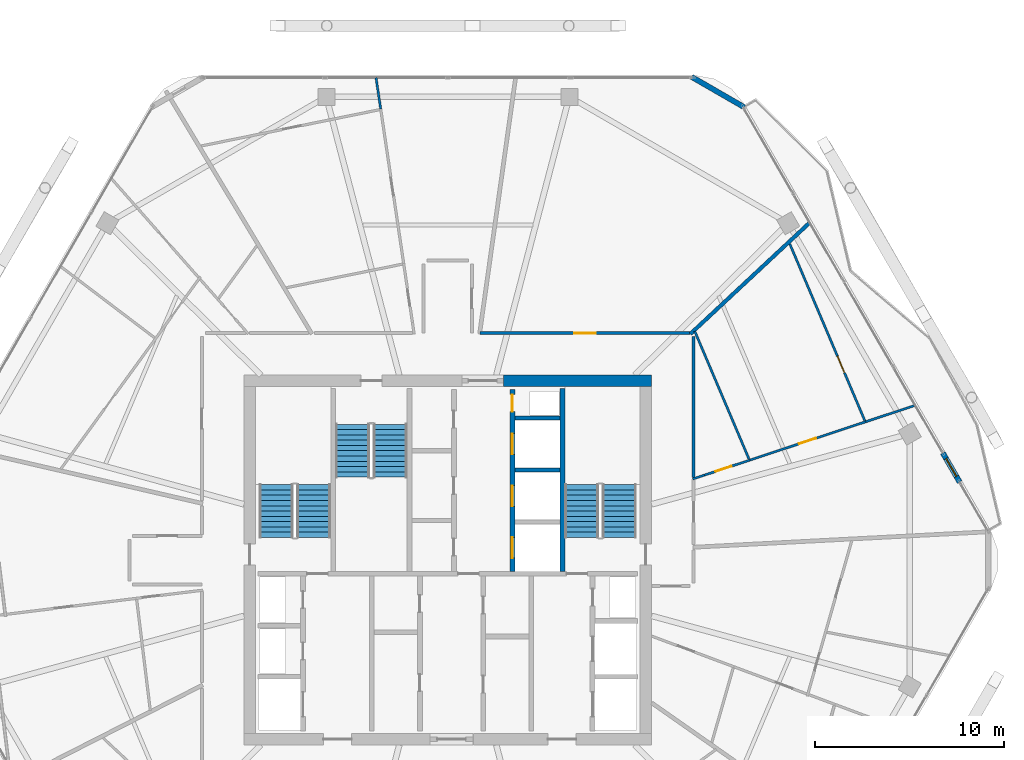
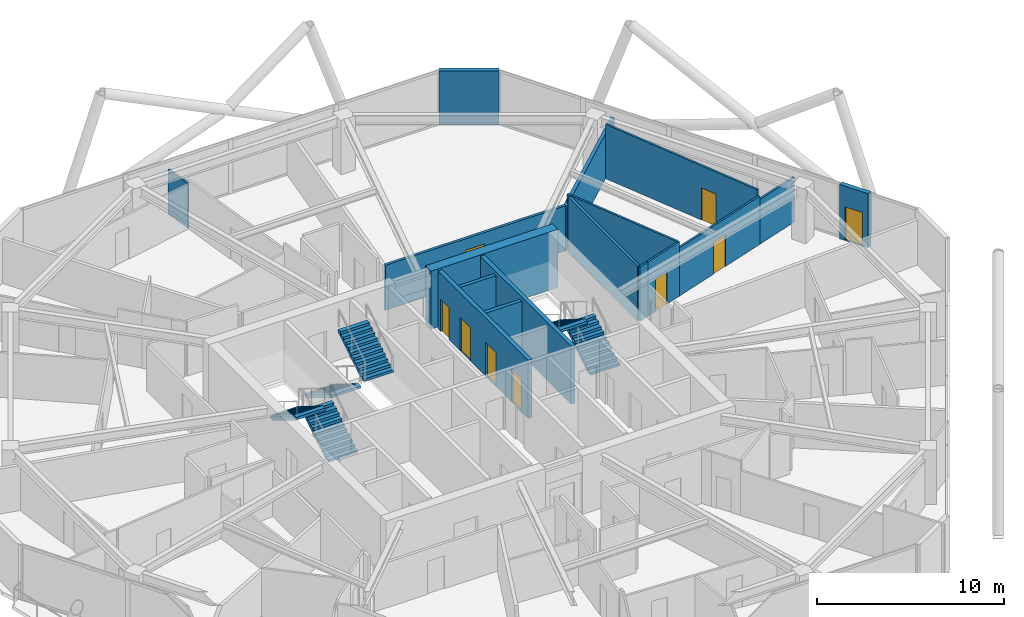
# One storey, part 24 of 27: 17 walls, 9 doors, 6 stair flights, 9 openings, 3 elements without a shape of their own.
"""IFC4 building model written with IfcOpenShell, lengths in metres."""

from ifc_helpers import new_model, si_unit, direction, frame, frame_2d, origin, place, context, subcontext, project, spatial, polyline, rectangle, outline, extrude, material, layer, layer_set, type_object, element, fill, aggregate, save


model = new_model("IFC4")

# Units and contexts
model_context = context("Model", 3, precision=1e-05, world=origin(), true_north=direction((0.0, 1.0)))
body_context = subcontext(model_context, "Body", "Model", "MODEL_VIEW")
ifc_project = project(units=[si_unit("LENGTHUNIT", "METRE"), si_unit("AREAUNIT", "SQUARE_METRE"), si_unit("VOLUMEUNIT", "CUBIC_METRE"), si_unit("PLANEANGLEUNIT", "RADIAN"), si_unit("MASSUNIT", "GRAM", prefix="KILO")], contexts=[model_context])

# Site, building, storey
site_placement = place(None, origin())
site = spatial("IfcSite", under=ifc_project, at=site_placement, CompositionType="ELEMENT")
building_placement = place(site_placement, origin())
building = spatial("IfcBuilding", under=site, at=building_placement, Name="Zuhravey Tower", CompositionType="ELEMENT")
storey_placement = place(building_placement, frame((0.0, 0.0, 261.60009765625)))
storey = spatial("IfcBuildingStorey", under=building, at=storey_placement, Name="L66", CompositionType="ELEMENT", Elevation=261.60009765625)

# Wall
ifc_material_1 = material(Name="Concrete C50/60", Category="concrete")
ifc_layer_1 = layer(ifc_material_1, 0.60009765625)
ifc_layer_set_1 = layer_set([ifc_layer_1], Name="Concrete C50/60")
wall_type_1 = type_object("IfcWallType", Name="Core Shear Wall 600", PredefinedType="SHEAR", material=ifc_layer_set_1)
wall_1_placement = place(storey_placement, frame((46.800048828125, 41.5, 0.0), z_axis=(0.0, 0.0, 1.0), x_axis=(-1.0, 0.0, 0.0)))
element("IfcWall", 1, at=wall_1_placement, inside=storey, type_object=wall_type_1, Name="L66 North-East Core Shear Wall CW60", PredefinedType="SHEAR", context=body_context, shape_type="SweptSolid", body=[
    extrude(rectangle(XDim=7.85009765625, YDim=0.60009765625, at=frame_2d((3.925048828125, 0.0))), origin(), (0.0, 0.0, 1.0), 3.7998046875),
])

# Wall, opening, door
ifc_material_2 = material(Name="Gypsum fire-rated stud partition")
ifc_layer_2 = layer(ifc_material_2, 0.159912109375)
ifc_layer_set_2 = layer_set([ifc_layer_2], Name="Gypsum fire-rated stud partition")
wall_type_2 = type_object("IfcWallType", Name="Corridor Fire Partition 160", PredefinedType="PARTITIONING", material=ifc_layer_set_2)
wall_2_placement = place(storey_placement, frame((48.85009765625, 44.030029296875, 0.0), z_axis=(0.0, 0.0, 1.0), x_axis=(-1.0, 0.0, 0.0)))
wall_2 = element("IfcWall", 2, at=wall_2_placement, inside=storey, type_object=wall_type_2, Name="L66 IW16 Partition 056", PredefinedType="PARTITIONING", context=body_context, shape_type="SweptSolid", body=[
    extrude(rectangle(XDim=11.13916015625, YDim=0.159912109375, at=frame_2d((5.569580078125, 0.0))), origin(), (0.0, 0.0, 1.0), 2.949951171875),
])
opening_1_placement = place(wall_2_placement, frame((4.994384765625, 0.0, 0.0)))
opening_1 = element("IfcOpeningElement", 3, at=opening_1_placement, cuts=wall_2, Name="Opening CLD1", PredefinedType="OPENING", context=body_context, shape_type="SweptSolid", body=[
    extrude(rectangle(XDim=1.14990234375, YDim=2.199951171875, at=frame_2d((0.574951171875, 1.10009765625))), frame((0.0, 0.092041015625, 0.0), z_axis=(0.0, -1.0, 0.0), x_axis=(1.0, 0.0, 0.0)), (0.0, 0.0, 1.0), 0.183837890625),
])
ifc_material_3 = material(Name="Acoustic timber leaf with vision lite", Category="wood")
door_type_1 = type_object("IfcDoorType", Name="Classroom Acoustic Door 1150x2200", OperationType="NOTDEFINED", PredefinedType="DOOR", material=ifc_material_3)
door_1_placement = place(opening_1_placement, frame((1.14990234375, 0.0, 0.0), z_axis=(0.0, 0.0, 1.0), x_axis=(-1.0, 0.0, 0.0)))
door_1 = element("IfcDoor", 4, at=door_1_placement, inside=storey, type_object=door_type_1, Name="L66 Door 056.1", OperationType="SINGLE_SWING_LEFT", OverallHeight=2.199951171875, OverallWidth=1.14990234375, PredefinedType="DOOR", context=body_context, shape_type="SweptSolid", body=[
    extrude(rectangle(XDim=1.14990234375, YDim=2.199951171875, at=frame_2d((0.574951171875, 1.10009765625))), frame((0.0, 0.02490234375, 0.0), z_axis=(0.0, -1.0, 0.0), x_axis=(1.0, 0.0, 0.0)), (0.0, 0.0, 1.0), 0.050048828125),
])
fill(opening_1, door_1)

# Walls
wall_3_placement = place(storey_placement, frame((49.030029296875, 36.385986328125, 0.0), z_axis=(0.0, 0.0, 1.0), x_axis=(0.0, 1.0, 0.0)))
element("IfcWall", 5, at=wall_3_placement, inside=storey, type_object=wall_type_2, Name="L66 IW16 Partition 119", PredefinedType="PARTITIONING", context=body_context, shape_type="SweptSolid", body=[
    extrude(rectangle(XDim=7.464111328125, YDim=0.159912109375, at=frame_2d((3.73193359375, 0.0))), origin(), (0.0, 0.0, 1.0), 3.5498046875),
])
ifc_material_4 = material(Name="Precast concrete C40/50", Category="concrete")
ifc_layer_3 = layer(ifc_material_4, 0.280029296875)
ifc_layer_set_3 = layer_set([ifc_layer_3], Name="Precast concrete C40/50")
wall_type_3 = type_object("IfcWallType", Name="Crown Architectural Wall 280", PredefinedType="SOLIDWALL", material=ifc_layer_set_3)
wall_4_placement = place(storey_placement, frame((48.930419921875, 57.611083984375, 0.0), z_axis=(0.0, 0.0, 1.0), x_axis=(0.866028773314, -0.499994163758, 0.0)))
element("IfcWall", 6, at=wall_4_placement, inside=storey, type_object=wall_type_3, Name="L66 Rounded Corner Closure Wall EW28-10", PredefinedType="SOLIDWALL", context=body_context, shape_type="SweptSolid", body=[
    extrude(rectangle(XDim=3.21484375, YDim=0.280029296875, at=frame_2d((1.607421875, 0.0))), origin(), (0.0, 0.0, 1.0), 3.5498046875),
])

# Wall, opening, door
wall_5_placement = place(storey_placement, frame((62.237060546875, 37.683349609375, 0.0), z_axis=(0.0, 0.0, 1.0), x_axis=(0.500041240653, -0.866001592173, 0.0)))
wall_5 = element("IfcWall", 7, at=wall_5_placement, inside=storey, type_object=wall_type_3, Name="L66 Face 1 Facade Pier EW28-1", PredefinedType="SOLIDWALL", context=body_context, shape_type="SweptSolid", body=[
    extrude(rectangle(XDim=1.789794921875, YDim=0.280029296875, at=frame_2d((0.89501953125, 0.0))), origin(), (0.0, 0.0, 1.0), 3.5498046875),
])
opening_2_placement = place(wall_5_placement, frame((0.344970703125, 0.0, 0.0)))
opening_2 = element("IfcOpeningElement", 8, at=opening_2_placement, cuts=wall_5, Name="Opening BLD1", PredefinedType="OPENING", context=body_context, shape_type="SweptSolid", body=[
    extrude(rectangle(XDim=1.10009765625, YDim=2.199951171875, at=frame_2d((0.550048828125, 1.10009765625))), frame((0.0, 0.152099609375, 0.0), z_axis=(0.0, -1.0, 0.0), x_axis=(1.0, 0.0, 0.0)), (0.0, 0.0, 1.0), 0.303955078125),
])
ifc_material_5 = material(Name="Thermally broken aluminium and low-E glass", Category="aluminium")
door_type_2 = type_object("IfcDoorType", Name="Balcony & Sky-Tray Glazed Door 1100x2200", OperationType="NOTDEFINED", PredefinedType="DOOR", material=ifc_material_5)
door_2_placement = place(opening_2_placement, frame((1.10009765625, 0.0, 0.0), z_axis=(0.0, 0.0, 1.0), x_axis=(-1.0, 0.0, 0.0)))
door_2 = element("IfcDoor", 9, at=door_2_placement, inside=storey, type_object=door_type_2, Name="L66 Face 1 Wave Balcony Door", OperationType="SINGLE_SWING_RIGHT", OverallHeight=2.199951171875, OverallWidth=1.10009765625, PredefinedType="DOOR", context=body_context, shape_type="SweptSolid", body=[
    extrude(rectangle(XDim=1.10009765625, YDim=2.199951171875, at=frame_2d((0.550048828125, 1.10009765625))), frame((0.0, 0.02490234375, 0.0), z_axis=(0.0, -1.0, 0.0), x_axis=(1.0, 0.0, 0.0)), (0.0, 0.0, 1.0), 0.050048828125),
])
fill(opening_2, door_2)

# Wall
ifc_layer_4 = layer(ifc_material_1, 0.25)
ifc_layer_set_4 = layer_set([ifc_layer_4], Name="Concrete C50/60")
wall_type_4 = type_object("IfcWallType", Name="Firefighting Shaft & Stair Wall 250", PredefinedType="SOLIDWALL", material=ifc_layer_set_4)
wall_6_placement = place(storey_placement, frame((42.074951171875, 31.39990234375, 0.0), z_axis=(0.0, 0.0, 1.0), x_axis=(0.0, 1.0, 0.0)))
element("IfcWall", 10, at=wall_6_placement, inside=storey, type_object=wall_type_4, Name="L66 FW25 Shaft Wall 006", PredefinedType="SOLIDWALL", context=body_context, shape_type="SweptSolid", body=[
    extrude(rectangle(XDim=9.7001953125, YDim=0.25, at=frame_2d((4.85009765625, 0.0))), origin(), (0.0, 0.0, 1.0), 3.7998046875),
])

# Wall, openings, doors
wall_7_placement = place(storey_placement, frame((39.425048828125, 31.39990234375, 0.0), z_axis=(0.0, 0.0, 1.0), x_axis=(0.0, 1.0, 0.0)))
wall_7 = element("IfcWall", 11, at=wall_7_placement, inside=storey, type_object=wall_type_4, Name="L66 FW25 Shaft Wall 008", PredefinedType="SOLIDWALL", context=body_context, shape_type="SweptSolid", body=[
    extrude(rectangle(XDim=9.650146484375, YDim=0.25, at=frame_2d((4.8251953125, 0.0))), origin(), (0.0, 0.0, 1.0), 3.7998046875),
])
opening_3_placement = place(wall_7_placement, frame((0.699951171875, 0.0, 0.0)))
opening_3 = element("IfcOpeningElement", 12, at=opening_3_placement, cuts=wall_7, Name="Opening LD1", PredefinedType="OPENING", context=body_context, shape_type="SweptSolid", body=[
    extrude(rectangle(XDim=1.10009765625, YDim=2.199951171875, at=frame_2d((0.550048828125, 1.10009765625))), frame((0.0, 0.136962890625, 0.0), z_axis=(0.0, -1.0, 0.0), x_axis=(1.0, 0.0, 0.0)), (0.0, 0.0, 1.0), 0.27392578125),
])
opening_4_placement = place(wall_7_placement, frame((3.449951171875, 0.0, 0.0)))
opening_4 = element("IfcOpeningElement", 13, at=opening_4_placement, cuts=wall_7, Name="Opening LD1", PredefinedType="OPENING", context=body_context, shape_type="SweptSolid", body=[
    extrude(rectangle(XDim=1.10009765625, YDim=2.199951171875, at=frame_2d((0.550048828125, 1.10009765625))), frame((0.0, 0.136962890625, 0.0), z_axis=(0.0, -1.0, 0.0), x_axis=(1.0, 0.0, 0.0)), (0.0, 0.0, 1.0), 0.27392578125),
])
opening_5_placement = place(wall_7_placement, frame((6.199951171875, 0.0, 0.0)))
opening_5 = element("IfcOpeningElement", 14, at=opening_5_placement, cuts=wall_7, Name="Opening LD1", PredefinedType="OPENING", context=body_context, shape_type="SweptSolid", body=[
    extrude(rectangle(XDim=1.10009765625, YDim=2.199951171875, at=frame_2d((0.550048828125, 1.10009765625))), frame((0.0, 0.136962890625, 0.0), z_axis=(0.0, -1.0, 0.0), x_axis=(1.0, 0.0, 0.0)), (0.0, 0.0, 1.0), 0.27392578125),
])
opening_6_placement = place(wall_7_placement, frame((8.469970703125, 0.0, 0.0)))
opening_6 = element("IfcOpeningElement", 15, at=opening_6_placement, cuts=wall_7, Name="Opening RSD1", PredefinedType="OPENING", context=body_context, shape_type="SweptSolid", body=[
    extrude(rectangle(XDim=0.89990234375, YDim=2.10009765625, at=frame_2d((0.449951171875, 1.050048828125))), frame((0.0, 0.136962890625, 0.0), z_axis=(0.0, -1.0, 0.0), x_axis=(1.0, 0.0, 0.0)), (0.0, 0.0, 1.0), 0.27392578125),
])
ifc_material_6 = material(Name="Brushed stainless steel", Category="steel")
door_type_3 = type_object("IfcDoorType", Name="Lift Landing Sliding Door 1100x2200", OperationType="DOUBLE_DOOR_SLIDING", PredefinedType="DOOR", material=ifc_material_6)
door_3_placement = place(opening_3_placement, origin())
door_3 = element("IfcDoor", 16, at=door_3_placement, inside=storey, type_object=door_type_3, Name="L66 Lift PL7 Landing Door", OperationType="DOUBLE_DOOR_SLIDING", OverallHeight=2.199951171875, OverallWidth=1.10009765625, PredefinedType="DOOR", context=body_context, shape_type="SweptSolid", body=[
    extrude(rectangle(XDim=1.10009765625, YDim=2.199951171875, at=frame_2d((0.550048828125, 1.10009765625))), frame((0.0, 0.02490234375, 0.0), z_axis=(0.0, -1.0, 0.0), x_axis=(1.0, 0.0, 0.0)), (0.0, 0.0, 1.0), 0.050048828125),
])
fill(opening_3, door_3)
door_4_placement = place(opening_4_placement, origin())
door_4 = element("IfcDoor", 17, at=door_4_placement, inside=storey, type_object=door_type_3, Name="L66 Lift PL8 Landing Door", OperationType="DOUBLE_DOOR_SLIDING", OverallHeight=2.199951171875, OverallWidth=1.10009765625, PredefinedType="DOOR", context=body_context, shape_type="SweptSolid", body=[
    extrude(rectangle(XDim=1.10009765625, YDim=2.199951171875, at=frame_2d((0.550048828125, 1.10009765625))), frame((0.0, 0.02490234375, 0.0), z_axis=(0.0, -1.0, 0.0), x_axis=(1.0, 0.0, 0.0)), (0.0, 0.0, 1.0), 0.050048828125),
])
fill(opening_4, door_4)
door_5_placement = place(opening_5_placement, origin())
door_5 = element("IfcDoor", 18, at=door_5_placement, inside=storey, type_object=door_type_3, Name="L66 Lift PL9 Landing Door", OperationType="DOUBLE_DOOR_SLIDING", OverallHeight=2.199951171875, OverallWidth=1.10009765625, PredefinedType="DOOR", context=body_context, shape_type="SweptSolid", body=[
    extrude(rectangle(XDim=1.10009765625, YDim=2.199951171875, at=frame_2d((0.550048828125, 1.10009765625))), frame((0.0, 0.02490234375, 0.0), z_axis=(0.0, -1.0, 0.0), x_axis=(1.0, 0.0, 0.0)), (0.0, 0.0, 1.0), 0.050048828125),
])
fill(opening_5, door_5)
ifc_material_7 = material(Name="Galvanised fire-rated steel access leaf", Category="steel")
door_type_4 = type_object("IfcDoorType", Name="Riser & Shaft Access Fire Door 900x2100", OperationType="NOTDEFINED", PredefinedType="DOOR", material=ifc_material_7)
door_6_placement = place(opening_6_placement, origin())
door_6 = element("IfcDoor", 19, at=door_6_placement, inside=storey, type_object=door_type_4, Name="L66 North Riser Door", OperationType="SINGLE_SWING_RIGHT", OverallHeight=2.10009765625, OverallWidth=0.89990234375, PredefinedType="DOOR", context=body_context, shape_type="SweptSolid", body=[
    extrude(rectangle(XDim=0.89990234375, YDim=2.10009765625, at=frame_2d((0.449951171875, 1.050048828125))), frame((0.0, 0.02490234375, 0.0), z_axis=(0.0, -1.0, 0.0), x_axis=(1.0, 0.0, 0.0)), (0.0, 0.0, 1.0), 0.050048828125),
])
fill(opening_6, door_6)

# Walls
ifc_material_8 = material(Name="Gypsum double-stud party assembly")
ifc_layer_5 = layer(ifc_material_8, 0.199951171875)
ifc_layer_set_5 = layer_set([ifc_layer_5], Name="Gypsum double-stud party assembly")
wall_type_5 = type_object("IfcWallType", Name="Inter-Tenancy Party Wall 200", PredefinedType="PARTITIONING", material=ifc_layer_set_5)
wall_8_placement = place(storey_placement, frame((48.857421875, 43.989501953125, 0.0), z_axis=(0.0, 0.0, 1.0), x_axis=(0.731342217011, 0.682010675589, 0.0)))
element("IfcWall", 20, at=wall_8_placement, inside=storey, type_object=wall_type_5, Name="L66 IW20 Partition 098", PredefinedType="PARTITIONING", context=body_context, shape_type="SweptSolid", body=[
    extrude(rectangle(XDim=8.65576171875, YDim=0.199951171875, at=frame_2d((4.327880859375, 0.0))), origin(), (0.0, 0.0, 1.0), 2.929931640625),
])
ifc_material_9 = material(Name="Gypsum acoustic stud assembly")
ifc_layer_6 = layer(ifc_material_9, 0.219970703125)
ifc_layer_set_6 = layer_set([ifc_layer_6], Name="Gypsum acoustic stud assembly")
wall_type_6 = type_object("IfcWallType", Name="School Acoustic Compartment Wall 220", PredefinedType="PARTITIONING", material=ifc_layer_set_6)
for number, where, z_axis, x_axis, name in (
    (21, (39.55810546875, 36.77490234375, 0.0), (0.0, 0.0, 1.0), (1.0, 0.0, 0.0), "L66 IW22 Partition 064"),
    (22, (39.55810546875, 39.52490234375, 0.0), (0.0, 0.0, 1.0), (1.0, 0.0, 0.0), "L66 IW22 Partition 065"),
):
    element("IfcWall", number, at=place(storey_placement, frame(where, z_axis=z_axis, x_axis=x_axis)), inside=storey, type_object=wall_type_6, Name=name, PredefinedType="PARTITIONING", context=body_context, shape_type="SweptSolid", body=[
        extrude(rectangle(XDim=2.3837890625, YDim=0.219970703125, at=frame_2d((1.19189453125, 0.0))), origin(), (0.0, 0.0, 1.0), 3.5498046875),
    ])

# Wall, opening, door
ifc_material_10 = material(Name="Gypsum metal-stud partition")
ifc_layer_7 = layer(ifc_material_10, 0.1201171875)
ifc_layer_set_7 = layer_set([ifc_layer_7], Name="Gypsum metal-stud partition")
wall_type_7 = type_object("IfcWallType", Name="Unit Internal Partition 120", PredefinedType="PARTITIONING", material=ifc_layer_set_7)
wall_9_placement = place(storey_placement, frame((49.60009765625, 36.5029296875, 0.0), z_axis=(0.0, 0.0, 1.0), x_axis=(0.949295505905, 0.314385181693, 0.0)))
wall_9 = element("IfcWall", 23, at=wall_9_placement, inside=storey, type_object=wall_type_7, Name="L66 IW12 Partition 052", PredefinedType="PARTITIONING", context=body_context, shape_type="SweptSolid", body=[
    extrude(rectangle(XDim=2.544921875, YDim=0.1201171875, at=frame_2d((1.2724609375, 0.0))), origin(), (0.0, 0.0, 1.0), 3.5498046875),
])
opening_7_placement = place(wall_9_placement, frame((0.618896484375, 0.0, 0.0)))
opening_7 = element("IfcOpeningElement", 24, at=opening_7_placement, cuts=wall_9, Name="Opening WCD1", PredefinedType="OPENING", context=body_context, shape_type="SweptSolid", body=[
    extrude(rectangle(XDim=0.89990234375, YDim=2.10009765625, at=frame_2d((0.449951171875, 1.050048828125))), frame((0.0, 0.072021484375, 0.0), z_axis=(0.0, -1.0, 0.0), x_axis=(1.0, 0.0, 0.0)), (0.0, 0.0, 1.0), 0.14404296875),
])
ifc_material_11 = material(Name="Moisture-resistant timber leaf", Category="wood")
door_type_5 = type_object("IfcDoorType", Name="Bathroom & WC Internal Door 900x2100", OperationType="NOTDEFINED", PredefinedType="DOOR", material=ifc_material_11)
door_7_placement = place(opening_7_placement, origin())
door_7 = element("IfcDoor", 25, at=door_7_placement, inside=storey, type_object=door_type_5, Name="Apartment L66-07 Bathroom Door", OperationType="SINGLE_SWING_LEFT", OverallHeight=2.10009765625, OverallWidth=0.89990234375, PredefinedType="DOOR", context=body_context, shape_type="SweptSolid", body=[
    extrude(rectangle(XDim=0.89990234375, YDim=2.10009765625, at=frame_2d((0.449951171875, 1.050048828125))), frame((0.0, 0.02490234375, 0.0), z_axis=(0.0, -1.0, 0.0), x_axis=(1.0, 0.0, 0.0)), (0.0, 0.0, 1.0), 0.050048828125),
])
fill(opening_7, door_7)

wall_10_placement = place(storey_placement, frame((52.015869140625, 37.302978515625, 0.0), z_axis=(0.0, 0.0, 1.0), x_axis=(0.949319431561, 0.314312928243, 0.0)))
wall_10 = element("IfcWall", 26, at=wall_10_placement, inside=storey, type_object=wall_type_7, Name="L66 IW12 Partition 053", PredefinedType="PARTITIONING", context=body_context, shape_type="SweptSolid", body=[
    extrude(rectangle(XDim=6.46630859375, YDim=0.1201171875, at=frame_2d((3.233154296875, 0.0))), origin(), (0.0, 0.0, 1.0), 3.14990234375),
])
opening_8_placement = place(wall_10_placement, frame((2.733154296875, 0.0, 0.0)))
opening_8 = element("IfcOpeningElement", 27, at=opening_8_placement, cuts=wall_10, Name="Opening IND1", PredefinedType="OPENING", context=body_context, shape_type="SweptSolid", body=[
    extrude(rectangle(XDim=0.949951171875, YDim=2.10009765625, at=frame_2d((0.47509765625, 1.050048828125))), frame((0.0, 0.072021484375, 0.0), z_axis=(0.0, -1.0, 0.0), x_axis=(1.0, 0.0, 0.0)), (0.0, 0.0, 1.0), 0.14404296875),
])
ifc_material_12 = material(Name="Painted engineered timber leaf", Category="wood")
door_type_6 = type_object("IfcDoorType", Name="Internal Room & Bedroom Door 950x2100", OperationType="NOTDEFINED", PredefinedType="DOOR", material=ifc_material_12)
door_8_placement = place(opening_8_placement, origin())
door_8 = element("IfcDoor", 28, at=door_8_placement, inside=storey, type_object=door_type_6, Name="Apartment L66-07 Home Office Door", OperationType="SINGLE_SWING_RIGHT", OverallHeight=2.10009765625, OverallWidth=0.949951171875, PredefinedType="DOOR", context=body_context, shape_type="SweptSolid", body=[
    extrude(rectangle(XDim=0.949951171875, YDim=2.10009765625, at=frame_2d((0.47509765625, 1.050048828125))), frame((0.0, 0.02490234375, 0.0), z_axis=(0.0, -1.0, 0.0), x_axis=(1.0, 0.0, 0.0)), (0.0, 0.0, 1.0), 0.050048828125),
])
fill(opening_8, door_8)

wall_11_placement = place(storey_placement, frame((58.104248046875, 39.390380859375, 0.0), z_axis=(0.0, 0.0, 1.0), x_axis=(-0.390729276491, 0.920505639577, 0.0)))
wall_11 = element("IfcWall", 29, at=wall_11_placement, inside=storey, type_object=wall_type_7, Name="L66 IW12 Partition 054", PredefinedType="PARTITIONING", context=body_context, shape_type="SweptSolid", body=[
    extrude(rectangle(XDim=10.16796875, YDim=0.1201171875, at=frame_2d((5.083984375, 0.0))), origin(), (0.0, 0.0, 1.0), 3.5498046875),
])
opening_9_placement = place(wall_11_placement, frame((2.7646484375, 0.0, 0.0)))
opening_9 = element("IfcOpeningElement", 30, at=opening_9_placement, cuts=wall_11, Name="Opening IND1", PredefinedType="OPENING", context=body_context, shape_type="SweptSolid", body=[
    extrude(rectangle(XDim=0.949951171875, YDim=2.10009765625, at=frame_2d((0.47509765625, 1.050048828125))), frame((0.0, 0.072021484375, 0.0), z_axis=(0.0, -1.0, 0.0), x_axis=(1.0, 0.0, 0.0)), (0.0, 0.0, 1.0), 0.14404296875),
])
door_9_placement = place(opening_9_placement, frame((0.949951171875, 0.0, 0.0), z_axis=(0.0, 0.0, 1.0), x_axis=(-1.0, 0.0, 0.0)))
door_9 = element("IfcDoor", 31, at=door_9_placement, inside=storey, type_object=door_type_6, Name="Apartment L66-07 Bedroom 1 Door", OperationType="SINGLE_SWING_LEFT", OverallHeight=2.10009765625, OverallWidth=0.949951171875, PredefinedType="DOOR", context=body_context, shape_type="SweptSolid", body=[
    extrude(rectangle(XDim=0.949951171875, YDim=2.10009765625, at=frame_2d((0.47509765625, 1.050048828125))), frame((0.0, 0.02490234375, 0.0), z_axis=(0.0, -1.0, 0.0), x_axis=(1.0, 0.0, 0.0)), (0.0, 0.0, 1.0), 0.050048828125),
])
fill(opening_9, door_9)

# Walls
wall_12_placement = place(storey_placement, frame((48.986328125, 36.2998046875, 0.0), z_axis=(0.0, 0.0, 1.0), x_axis=(0.94936083971, 0.314187835576, 0.0)))
element("IfcWall", 32, at=wall_12_placement, inside=storey, type_object=wall_type_7, Name="L66 IW12 Partition 095", PredefinedType="PARTITIONING", context=body_context, shape_type="SweptSolid", body=[
    extrude(rectangle(XDim=0.646484375, YDim=0.1201171875, at=frame_2d((0.3232421875, 0.0))), origin(), (0.0, 0.0, 1.0), 3.5498046875),
])
wall_13_placement = place(storey_placement, frame((58.154541015625, 39.335693359375, 0.0), z_axis=(0.0, 0.0, 1.0), x_axis=(0.949341960768, 0.314244875098, 0.0)))
element("IfcWall", 33, at=wall_13_placement, inside=storey, type_object=wall_type_7, Name="L66 IW12 Partition 096", PredefinedType="PARTITIONING", context=body_context, shape_type="SweptSolid", body=[
    extrude(rectangle(XDim=2.771240234375, YDim=0.1201171875, at=frame_2d((1.3857421875, 0.0))), origin(), (0.0, 0.0, 1.0), 2.929931640625),
])
wall_14_placement = place(storey_placement, frame((51.965576171875, 37.35791015625, 0.0), z_axis=(0.0, 0.0, 1.0), x_axis=(-0.39073730392, 0.920502232113, 0.0)))
element("IfcWall", 34, at=wall_14_placement, inside=storey, type_object=wall_type_7, Name="L66 IW12 Partition 097", PredefinedType="PARTITIONING", context=body_context, shape_type="SweptSolid", body=[
    extrude(rectangle(XDim=7.35791015625, YDim=0.1201171875, at=frame_2d((3.678955078125, 0.0))), origin(), (0.0, 0.0, 1.0), 3.5498046875),
])
wall_15_placement = place(storey_placement, frame((32.443359375, 55.91162109375, 0.0), z_axis=(0.0, 0.0, 1.0), x_axis=(-0.147050413957, 0.989128998541, 0.0)))
element("IfcWall", 35, at=wall_15_placement, inside=storey, type_object=wall_type_7, Name="L66 IW12 Partition 101", PredefinedType="PARTITIONING", context=body_context, shape_type="SweptSolid", body=[
    extrude(rectangle(XDim=1.67529296875, YDim=0.1201171875, at=frame_2d((0.837646484375, 0.0))), origin(), (0.0, 0.0, 1.0), 2.929931640625),
])

# Stair, stair flights
ifc_material_13 = material(Name="Concrete C40/50", Category="concrete")
stair_type = type_object("IfcStairType", Name="Housing Storey Stair Assembly 3800", PredefinedType="HALF_TURN_STAIR", material=ifc_material_13)
stair_1_placement = place(storey_placement, origin())
stair_1 = element("IfcStair", 36, at=stair_1_placement, inside=storey, type_object=stair_type, Name="L66 Core Exit Stair ST1", PredefinedType="HALF_TURN_STAIR")
stair_flight_type = type_object("IfcStairFlightType", Name="Housing Storey Stair Flight 3800", PredefinedType="STRAIGHT", material=ifc_material_13)
stair_flight_1_placement = place(storey_placement, frame((28.89990234375, 33.199951171875, 0.0), z_axis=(0.0, 0.0, 1.0), x_axis=(0.0, 1.0, 0.0)))
stair_flight_1 = element("IfcStairFlight", 37, at=stair_flight_1_placement, type_object=stair_flight_type, Name="ST1 flight 1", NumberOfRisers=11, NumberOfTreads=10, PredefinedType="STRAIGHT", RiserHeight=0.172727273, TreadLength=0.28, context=body_context, shape_type="SweptSolid", body=[
    extrude(outline(polyline([(0.0, 0.0), (0.0, 0.172607421875), (0.280029296875, 0.172607421875), (0.280029296875, 0.345458984375), (0.56005859375, 0.345458984375), (0.56005859375, 0.51806640625), (0.840087890625, 0.51806640625), (0.840087890625, 0.69091796875), (1.1201171875, 0.69091796875), (1.1201171875, 0.863525390625), (1.39990234375, 0.863525390625), (1.39990234375, 1.036376953125), (1.679931640625, 1.036376953125), (1.679931640625, 1.208984375), (1.9599609375, 1.208984375), (1.9599609375, 1.3818359375), (2.239990234375, 1.3818359375), (2.239990234375, 1.554443359375), (2.52001953125, 1.554443359375), (2.52001953125, 1.727294921875), (2.800048828125, 1.727294921875), (2.800048828125, 1.89990234375), (2.800048828125, 1.551025390625), (0.285400390625, 0.0), (0.0, 0.0)])), frame((0.0, 0.89990234375, 0.0), z_axis=(0.0, -1.0, 0.0), x_axis=(1.0, 0.0, 0.0)), (0.0, 0.0, 1.0), 1.800048828125),
])
stair_flight_2_placement = place(storey_placement, frame((26.89990234375, 36.0, 1.89990234375), z_axis=(0.0, 0.0, 1.0), x_axis=(0.0, -1.0, 0.0)))
stair_flight_2 = element("IfcStairFlight", 38, at=stair_flight_2_placement, type_object=stair_flight_type, Name="ST1 flight 2", NumberOfRisers=11, NumberOfTreads=10, PredefinedType="STRAIGHT", RiserHeight=0.172727273, TreadLength=0.28, context=body_context, shape_type="SweptSolid", body=[
    extrude(outline(polyline([(0.0, 0.0), (0.0, 0.172607421875), (0.280029296875, 0.172607421875), (0.280029296875, 0.345458984375), (0.56005859375, 0.345458984375), (0.56005859375, 0.51806640625), (0.840087890625, 0.51806640625), (0.840087890625, 0.69091796875), (1.1201171875, 0.69091796875), (1.1201171875, 0.863525390625), (1.39990234375, 0.863525390625), (1.39990234375, 1.036376953125), (1.679931640625, 1.036376953125), (1.679931640625, 1.208984375), (1.9599609375, 1.208984375), (1.9599609375, 1.3818359375), (2.239990234375, 1.3818359375), (2.239990234375, 1.554443359375), (2.52001953125, 1.554443359375), (2.52001953125, 1.727294921875), (2.800048828125, 1.727294921875), (2.800048828125, 1.89990234375), (2.800048828125, 1.551025390625), (0.285400390625, 0.0), (0.0, 0.0)])), frame((0.0, 0.89990234375, 0.0), z_axis=(0.0, -1.0, 0.0), x_axis=(1.0, 0.0, 0.0)), (0.0, 0.0, 1.0), 1.800048828125),
])
aggregate(stair_1, [stair_flight_1, stair_flight_2])

stair_2_placement = place(storey_placement, origin())
stair_2 = element("IfcStair", 39, at=stair_2_placement, inside=storey, type_object=stair_type, Name="L66 Core Exit Stair ST2", PredefinedType="HALF_TURN_STAIR")
stair_flight_3_placement = place(storey_placement, frame((45.10009765625, 33.199951171875, 0.0), z_axis=(0.0, 0.0, 1.0), x_axis=(0.0, 1.0, 0.0)))
stair_flight_3 = element("IfcStairFlight", 40, at=stair_flight_3_placement, type_object=stair_flight_type, Name="ST2 flight 1", NumberOfRisers=11, NumberOfTreads=10, PredefinedType="STRAIGHT", RiserHeight=0.172727273, TreadLength=0.28, context=body_context, shape_type="SweptSolid", body=[
    extrude(outline(polyline([(0.0, 0.0), (0.0, 0.172607421875), (0.280029296875, 0.172607421875), (0.280029296875, 0.345458984375), (0.56005859375, 0.345458984375), (0.56005859375, 0.51806640625), (0.840087890625, 0.51806640625), (0.840087890625, 0.69091796875), (1.1201171875, 0.69091796875), (1.1201171875, 0.863525390625), (1.39990234375, 0.863525390625), (1.39990234375, 1.036376953125), (1.679931640625, 1.036376953125), (1.679931640625, 1.208984375), (1.9599609375, 1.208984375), (1.9599609375, 1.3818359375), (2.239990234375, 1.3818359375), (2.239990234375, 1.554443359375), (2.52001953125, 1.554443359375), (2.52001953125, 1.727294921875), (2.800048828125, 1.727294921875), (2.800048828125, 1.89990234375), (2.800048828125, 1.551025390625), (0.285400390625, 0.0), (0.0, 0.0)])), frame((0.0, 0.89990234375, 0.0), z_axis=(0.0, -1.0, 0.0), x_axis=(1.0, 0.0, 0.0)), (0.0, 0.0, 1.0), 1.800048828125),
])
stair_flight_4_placement = place(storey_placement, frame((43.10009765625, 36.0, 1.89990234375), z_axis=(0.0, 0.0, 1.0), x_axis=(0.0, -1.0, 0.0)))
stair_flight_4 = element("IfcStairFlight", 41, at=stair_flight_4_placement, type_object=stair_flight_type, Name="ST2 flight 2", NumberOfRisers=11, NumberOfTreads=10, PredefinedType="STRAIGHT", RiserHeight=0.172727273, TreadLength=0.28, context=body_context, shape_type="SweptSolid", body=[
    extrude(outline(polyline([(0.0, 0.0), (0.0, 0.172607421875), (0.280029296875, 0.172607421875), (0.280029296875, 0.345458984375), (0.56005859375, 0.345458984375), (0.56005859375, 0.51806640625), (0.840087890625, 0.51806640625), (0.840087890625, 0.69091796875), (1.1201171875, 0.69091796875), (1.1201171875, 0.863525390625), (1.39990234375, 0.863525390625), (1.39990234375, 1.036376953125), (1.679931640625, 1.036376953125), (1.679931640625, 1.208984375), (1.9599609375, 1.208984375), (1.9599609375, 1.3818359375), (2.239990234375, 1.3818359375), (2.239990234375, 1.554443359375), (2.52001953125, 1.554443359375), (2.52001953125, 1.727294921875), (2.800048828125, 1.727294921875), (2.800048828125, 1.89990234375), (2.800048828125, 1.551025390625), (0.285400390625, 0.0), (0.0, 0.0)])), frame((0.0, 0.89990234375, 0.0), z_axis=(0.0, -1.0, 0.0), x_axis=(1.0, 0.0, 0.0)), (0.0, 0.0, 1.0), 1.800048828125),
])
aggregate(stair_2, [stair_flight_3, stair_flight_4])

stair_3_placement = place(storey_placement, origin())
stair_3 = element("IfcStair", 42, at=stair_3_placement, inside=storey, type_object=stair_type, Name="L66 Core Exit Stair ST3", PredefinedType="HALF_TURN_STAIR")
stair_flight_5_placement = place(storey_placement, frame((30.949951171875, 39.199951171875, 0.0), z_axis=(0.0, 0.0, 1.0), x_axis=(0.0, -1.0, 0.0)))
stair_flight_5 = element("IfcStairFlight", 43, at=stair_flight_5_placement, type_object=stair_flight_type, Name="ST3 flight 1", NumberOfRisers=11, NumberOfTreads=10, PredefinedType="STRAIGHT", RiserHeight=0.172727273, TreadLength=0.28, context=body_context, shape_type="SweptSolid", body=[
    extrude(outline(polyline([(0.0, 0.0), (0.0, 0.172607421875), (0.280029296875, 0.172607421875), (0.280029296875, 0.345458984375), (0.56005859375, 0.345458984375), (0.56005859375, 0.51806640625), (0.840087890625, 0.51806640625), (0.840087890625, 0.69091796875), (1.1201171875, 0.69091796875), (1.1201171875, 0.863525390625), (1.39990234375, 0.863525390625), (1.39990234375, 1.036376953125), (1.679931640625, 1.036376953125), (1.679931640625, 1.208984375), (1.9599609375, 1.208984375), (1.9599609375, 1.3818359375), (2.239990234375, 1.3818359375), (2.239990234375, 1.554443359375), (2.52001953125, 1.554443359375), (2.52001953125, 1.727294921875), (2.800048828125, 1.727294921875), (2.800048828125, 1.89990234375), (2.800048828125, 1.551025390625), (0.285400390625, 0.0), (0.0, 0.0)])), frame((0.0, 0.89990234375, 0.0), z_axis=(0.0, -1.0, 0.0), x_axis=(1.0, 0.0, 0.0)), (0.0, 0.0, 1.0), 1.800048828125),
])
stair_flight_6_placement = place(storey_placement, frame((32.949951171875, 36.39990234375, 1.89990234375), z_axis=(0.0, 0.0, 1.0), x_axis=(0.0, 1.0, 0.0)))
stair_flight_6 = element("IfcStairFlight", 44, at=stair_flight_6_placement, type_object=stair_flight_type, Name="ST3 flight 2", NumberOfRisers=11, NumberOfTreads=10, PredefinedType="STRAIGHT", RiserHeight=0.172727273, TreadLength=0.28, context=body_context, shape_type="SweptSolid", body=[
    extrude(outline(polyline([(0.0, 0.0), (0.0, 0.172607421875), (0.280029296875, 0.172607421875), (0.280029296875, 0.345458984375), (0.56005859375, 0.345458984375), (0.56005859375, 0.51806640625), (0.840087890625, 0.51806640625), (0.840087890625, 0.69091796875), (1.1201171875, 0.69091796875), (1.1201171875, 0.863525390625), (1.39990234375, 0.863525390625), (1.39990234375, 1.036376953125), (1.679931640625, 1.036376953125), (1.679931640625, 1.208984375), (1.9599609375, 1.208984375), (1.9599609375, 1.3818359375), (2.239990234375, 1.3818359375), (2.239990234375, 1.554443359375), (2.52001953125, 1.554443359375), (2.52001953125, 1.727294921875), (2.800048828125, 1.727294921875), (2.800048828125, 1.89990234375), (2.800048828125, 1.551025390625), (0.285400390625, 0.0), (0.0, 0.0)])), frame((0.0, 0.89990234375, 0.0), z_axis=(0.0, -1.0, 0.0), x_axis=(1.0, 0.0, 0.0)), (0.0, 0.0, 1.0), 1.800048828125),
])
aggregate(stair_3, [stair_flight_5, stair_flight_6])

save(model, "model.ifc")
